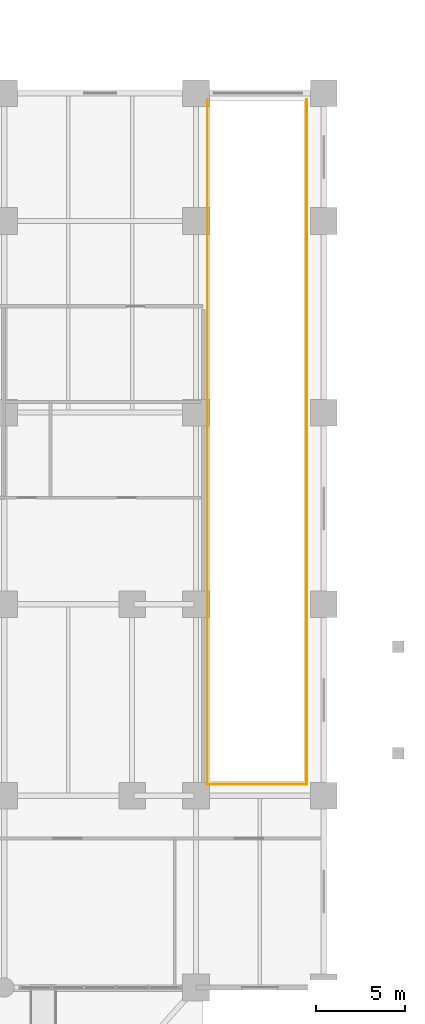
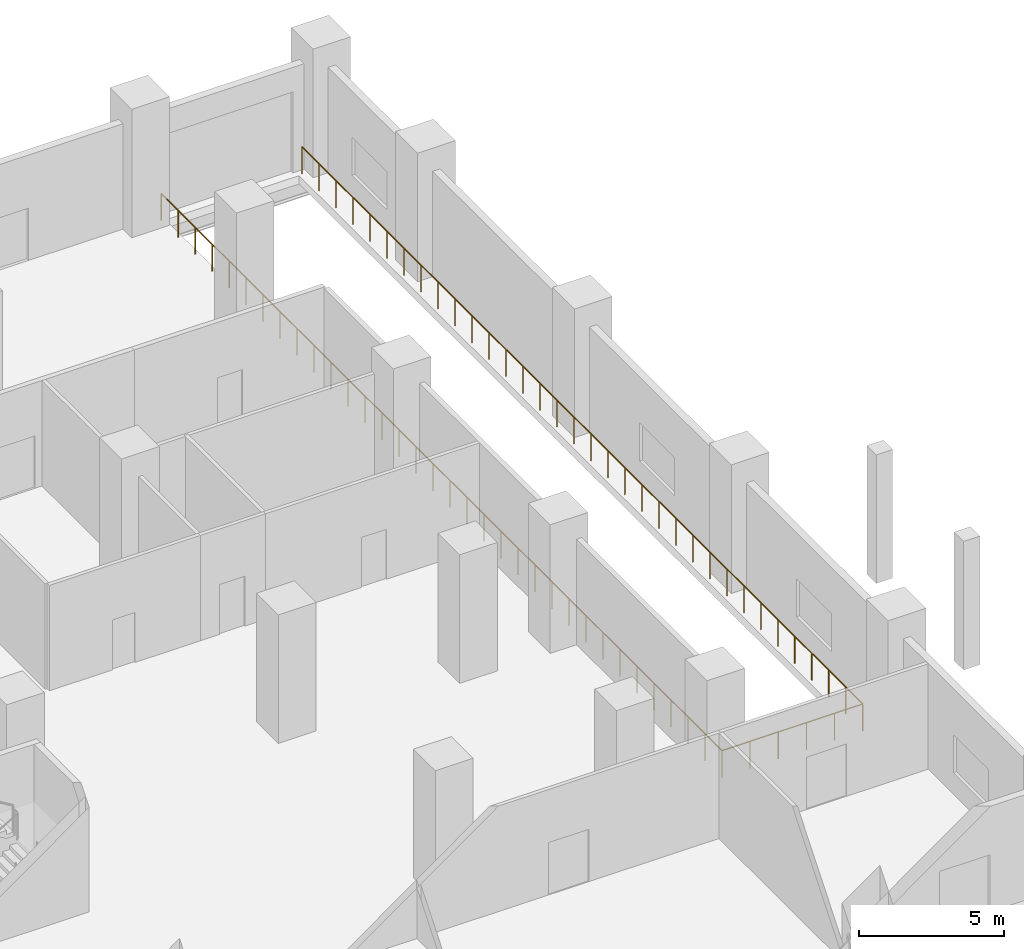
# One storey, part 21 of 22: 3 railings.
"""IFC4 building model written with IfcOpenShell, lengths in metres."""

import ifcopenshell
import ifcopenshell.guid

model = None  # the IFC model being written
_history = None  # IfcOwnerHistory: only IFC2X3 demands one
_inside = {}  # id of a spatial element -> (the spatial element, [elements in it])
_under = {}  # id of a project, library or spatial element -> (it, [spatial elements below it])
_declared = {}  # id of a project -> (the project, [libraries it declares])
_typed = {}  # id of a type object -> (the type object, [elements of that type])
_made_of = {}  # id of a material, layer set ... -> (it, [elements and type objects made of it])


def new_model(schema):
    """Start an empty IFC model of exactly this schema.

    Asked for "IFC4X3", IfcOpenShell would pick the latest addendum, in which some entities
    have other attributes; the version numbers below select the first issue.
    IFC2X3 requires an IfcOwnerHistory on every rooted entity: one is made here for all.
    """
    global model, _history
    if schema == "IFC4X3":
        model = ifcopenshell.file(schema_version=(4, 3, 0, 0))
    else:
        model = ifcopenshell.file(schema=schema)
    _inside.clear()
    _under.clear()
    _declared.clear()
    _typed.clear()
    _made_of.clear()
    _history = None
    if model.schema == "IFC2X3":
        org = make("IfcOrganization", Name="unknown")
        user = make(
            "IfcPersonAndOrganization",
            ThePerson=make("IfcPerson", FamilyName="unknown"),
            TheOrganization=org,
        )
        app = make(
            "IfcApplication",
            ApplicationDeveloper=org,
            Version="unknown",
            ApplicationFullName="unknown",
            ApplicationIdentifier="unknown",
        )
        _history = make(
            "IfcOwnerHistory",
            OwningUser=user,
            OwningApplication=app,
            ChangeAction="ADDED",
            CreationDate=0,
        )
    return model


def make(cls, **values):
    """One entity of the class cls with the attributes given. An attribute that is None is left unset."""
    return model.create_entity(
        cls, **{name: value for name, value in values.items() if value is not None}
    )


def rooted(cls, **values):
    """An entity with a GlobalId (a new one), such as an element, a storey or a relation."""
    return make(cls, GlobalId=ifcopenshell.guid.new(), OwnerHistory=_history, **values)


def si_unit(unit_type, name, prefix=None):
    """IfcSIUnit, for example si_unit("LENGTHUNIT", "METRE", prefix="MILLI")."""
    return make("IfcSIUnit", UnitType=unit_type, Prefix=prefix, Name=name)


def assignment(units):
    """IfcUnitAssignment: the units of a project."""
    return None if units is None else make("IfcUnitAssignment", Units=units)


def point(xyz):
    """IfcCartesianPoint."""
    return None if xyz is None else make("IfcCartesianPoint", Coordinates=xyz)


def direction(xyz):
    """IfcDirection."""
    return None if xyz is None else make("IfcDirection", DirectionRatios=xyz)


def frame(location, z_axis=None, x_axis=None):
    """IfcAxis2Placement3D, a coordinate frame: its origin and axes. An axis left out is left unset."""
    return make(
        "IfcAxis2Placement3D",
        Location=point(location),
        Axis=direction(z_axis),
        RefDirection=direction(x_axis),
    )


def frame_2d(location, x_axis=None):
    """IfcAxis2Placement2D, a coordinate frame in the plane: its origin and x axis."""
    return make(
        "IfcAxis2Placement2D", Location=point(location), RefDirection=direction(x_axis)
    )


def origin():
    """The frame at (0, 0, 0) with its axes left unset."""
    return frame((0.0, 0.0, 0.0))


def origin_2d():
    """The frame at (0, 0) in the plane with its x axis left unset."""
    return frame_2d((0.0, 0.0))


def place(relative_to, where):
    """IfcLocalPlacement: puts the frame where relative to a parent placement (None: the world)."""
    return make(
        "IfcLocalPlacement", PlacementRelTo=relative_to, RelativePlacement=where
    )


def context(
    kind, dimensions, precision=None, world=None, true_north=None, identifier=None
):
    """IfcGeometricRepresentationContext, for example the 3D "Model" context."""
    return make(
        "IfcGeometricRepresentationContext",
        ContextIdentifier=identifier,
        ContextType=kind,
        CoordinateSpaceDimension=dimensions,
        Precision=precision,
        WorldCoordinateSystem=world,
        TrueNorth=true_north,
    )


def subcontext(parent, identifier, kind, view, scale=None):
    """IfcGeometricRepresentationSubContext, for example "Body" below "Model"."""
    return make(
        "IfcGeometricRepresentationSubContext",
        ContextIdentifier=identifier,
        ContextType=kind,
        ParentContext=parent,
        TargetScale=scale,
        TargetView=view,
    )


def project(units=None, contexts=None):
    """IfcProject with its units and contexts."""
    return rooted(
        "IfcProject",
        Name="project",
        RepresentationContexts=contexts,
        UnitsInContext=assignment(units),
    )


def spatial(cls, under=None, at=None, **own):
    """A site, building, storey or space (cls), placed at a placement, below another one or the project."""
    s = rooted(cls, ObjectPlacement=at, **own)
    if under is not None:
        _under.setdefault(under.id(), (under, []))[1].append(s)
    return s


def profile(cls, at=None, kind="AREA", **sizes):
    """A parametric profile (cls). Its sizes go by their IFC names, for example OverallWidth=200.0."""
    return make(cls, ProfileType=kind, Position=at, **sizes)


def circle(**sizes):
    """IfcCircleProfileDef."""
    return profile("IfcCircleProfileDef", **sizes)


def extrude(swept, where, along, depth):
    """IfcExtrudedAreaSolid: the profile swept, set in the frame where, extruded along a direction by depth."""
    return make(
        "IfcExtrudedAreaSolid",
        SweptArea=swept,
        Position=where,
        ExtrudedDirection=direction(along),
        Depth=depth,
    )


def shape(context_of_items, identifier, shape_type, items):
    """IfcShapeRepresentation: the items that make up one representation, for example the "Body"."""
    return make(
        "IfcShapeRepresentation",
        ContextOfItems=context_of_items,
        RepresentationIdentifier=identifier,
        RepresentationType=shape_type,
        Items=items,
    )


def material(Name=None, Category=None):
    """IfcMaterial."""
    return make("IfcMaterial", Name=Name, Category=Category)


def made_of(thing, what):
    """Note that an element or type object is made of a material, layer set ...; save() writes the relation."""
    if what is not None:
        _made_of.setdefault(what.id(), (what, []))[1].append(thing)
    return thing


def type_object(cls, material=None, **own):
    """A type object (cls), such as IfcWallType, which elements share."""
    return made_of(rooted(cls, **own), material)


def element(
    cls,
    number,
    at=None,
    inside=None,
    cuts=None,
    type_object=None,
    material=None,
    context=None,
    identifier="Body",
    shape_type=None,
    held_by="IfcProductDefinitionShape",
    body=None,
    shapes=None,
    **own,
):
    """One element of the class cls, such as IfcWall. Its Tag is "e" and its number.

    at: its placement. inside: the storey or other place that contains it. cuts: it is an
    opening in that element (IfcRelVoidsElement). A single representation is given by context,
    identifier, shape_type and body (its items); several are given by shapes. held_by: the class
    of the entity that holds the representations. save() writes the other relations.
    """
    e = rooted(cls, Tag="e%d" % number, ObjectPlacement=at, **own)
    if body is not None:
        shapes = [shape(context, identifier, shape_type, body)]
    if shapes is not None:
        e.Representation = make(held_by, Representations=shapes)
    if inside is not None:
        _inside.setdefault(inside.id(), (inside, []))[1].append(e)
    if cuts is not None:
        rooted(
            "IfcRelVoidsElement", RelatingBuildingElement=cuts, RelatedOpeningElement=e
        )
    if type_object is not None:
        _typed.setdefault(type_object.id(), (type_object, []))[1].append(e)
    return made_of(e, material)


def aggregate(whole, parts):
    """IfcRelAggregates: a whole, such as a stair, and the parts it consists of."""
    return rooted("IfcRelAggregates", RelatingObject=whole, RelatedObjects=parts)


def save(model, path):
    """Write the relations noted so far, then the file.

    IfcRelAggregates (storeys below a building ...), IfcRelContainedInSpatialStructure (elements
    in a storey), IfcRelDefinesByType, IfcRelAssociatesMaterial and IfcRelDeclares: one each for
    every whole, place, type object, material and project.
    """
    for whole, parts in _under.values():
        aggregate(whole, parts)
    for where, things in _inside.values():
        rooted(
            "IfcRelContainedInSpatialStructure",
            RelatedElements=things,
            RelatingStructure=where,
        )
    for kind, things in _typed.values():
        rooted("IfcRelDefinesByType", RelatedObjects=things, RelatingType=kind)
    for what, things in _made_of.values():
        rooted("IfcRelAssociatesMaterial", RelatedObjects=things, RelatingMaterial=what)
    for by, libraries in _declared.values():
        rooted("IfcRelDeclares", RelatingContext=by, RelatedDefinitions=libraries)
    model.write(path)


model = new_model("IFC4")

# Units and contexts
model_context = context("Model", 3, precision=1e-05, world=origin(), true_north=direction((0.0, 1.0)))
body_context = subcontext(model_context, "Body", "Model", "MODEL_VIEW")
ifc_project = project(units=[si_unit("LENGTHUNIT", "METRE"), si_unit("AREAUNIT", "SQUARE_METRE"), si_unit("VOLUMEUNIT", "CUBIC_METRE"), si_unit("PLANEANGLEUNIT", "RADIAN"), si_unit("MASSUNIT", "GRAM", prefix="KILO")], contexts=[model_context])

# Site, building, storey
site_placement = place(None, origin())
site = spatial("IfcSite", under=ifc_project, at=site_placement, CompositionType="ELEMENT")
building_placement = place(site_placement, origin())
building = spatial("IfcBuilding", under=site, at=building_placement, Name="Solnavia Interchange Tower", CompositionType="ELEMENT")
storey_placement = place(building_placement, origin())
storey = spatial("IfcBuildingStorey", under=building, at=storey_placement, Name="L00", CompositionType="ELEMENT", Elevation=0.0)

# Railings
ifc_material = material(Name="Laminated Safety Glass & Stainless Steel", Category="steel")
railing_type = type_object("IfcRailingType", Name="Railing-TerraceGuard-1150", PredefinedType="GUARDRAIL", material=ifc_material)
railing_1_placement = place(storey_placement, frame((65.449951171875, 50.050048828125, 0.0)))
element("IfcRailing", 1, at=railing_1_placement, inside=storey, type_object=railing_type, Name="GRD-L00-RMP1-01 Perimeter terrace guardrail", PredefinedType="GUARDRAIL", context=body_context, shape_type="SweptSolid", body=[
    extrude(circle(Radius=0.02392578125, at=origin_2d()), frame((0.0, 0.0, 1.1259765625), z_axis=(0.0, -1.0, 0.0), x_axis=(1.0, 0.0, 0.0)), (0.0, 0.0, 1.0), 38.60009765625),
    extrude(circle(Radius=0.02099609375, at=origin_2d()), origin(), (0.0, 0.0, 1.0), 1.101806640625),
    extrude(circle(Radius=0.02099609375, at=origin_2d()), frame((0.0, -1.169677734375, 0.0)), (0.0, 0.0, 1.0), 1.101806640625),
    extrude(circle(Radius=0.02099609375, at=origin_2d()), frame((0.0, -2.33935546875, 0.0)), (0.0, 0.0, 1.0), 1.101806640625),
    extrude(circle(Radius=0.02099609375, at=origin_2d()), frame((0.0, -3.509033203125, 0.0)), (0.0, 0.0, 1.0), 1.101806640625),
    extrude(circle(Radius=0.02099609375, at=origin_2d()), frame((0.0, -4.6787109375, 0.0)), (0.0, 0.0, 1.0), 1.101806640625),
    extrude(circle(Radius=0.02099609375, at=origin_2d()), frame((0.0, -5.848388671875, 0.0)), (0.0, 0.0, 1.0), 1.101806640625),
    extrude(circle(Radius=0.02099609375, at=origin_2d()), frame((0.0, -7.018310546875, 0.0)), (0.0, 0.0, 1.0), 1.101806640625),
    extrude(circle(Radius=0.02099609375, at=origin_2d()), frame((0.0, -8.18798828125, 0.0)), (0.0, 0.0, 1.0), 1.101806640625),
    extrude(circle(Radius=0.02099609375, at=origin_2d()), frame((0.0, -9.357666015625, 0.0)), (0.0, 0.0, 1.0), 1.101806640625),
    extrude(circle(Radius=0.02099609375, at=origin_2d()), frame((0.0, -10.52734375, 0.0)), (0.0, 0.0, 1.0), 1.101806640625),
    extrude(circle(Radius=0.02099609375, at=origin_2d()), frame((0.0, -11.697021484375, 0.0)), (0.0, 0.0, 1.0), 1.101806640625),
    extrude(circle(Radius=0.02099609375, at=origin_2d()), frame((0.0, -12.86669921875, 0.0)), (0.0, 0.0, 1.0), 1.101806640625),
    extrude(circle(Radius=0.02099609375, at=origin_2d()), frame((0.0, -14.036376953125, 0.0)), (0.0, 0.0, 1.0), 1.101806640625),
    extrude(circle(Radius=0.02099609375, at=origin_2d()), frame((0.0, -15.2060546875, 0.0)), (0.0, 0.0, 1.0), 1.101806640625),
    extrude(circle(Radius=0.02099609375, at=origin_2d()), frame((0.0, -16.375732421875, 0.0)), (0.0, 0.0, 1.0), 1.101806640625),
    extrude(circle(Radius=0.02099609375, at=origin_2d()), frame((0.0, -17.54541015625, 0.0)), (0.0, 0.0, 1.0), 1.101806640625),
    extrude(circle(Radius=0.02099609375, at=origin_2d()), frame((0.0, -18.715087890625, 0.0)), (0.0, 0.0, 1.0), 1.101806640625),
    extrude(circle(Radius=0.02099609375, at=origin_2d()), frame((0.0, -19.885009765625, 0.0)), (0.0, 0.0, 1.0), 1.101806640625),
    extrude(circle(Radius=0.02099609375, at=origin_2d()), frame((0.0, -21.0546875, 0.0)), (0.0, 0.0, 1.0), 1.101806640625),
    extrude(circle(Radius=0.02099609375, at=origin_2d()), frame((0.0, -22.224365234375, 0.0)), (0.0, 0.0, 1.0), 1.101806640625),
    extrude(circle(Radius=0.02099609375, at=origin_2d()), frame((0.0, -23.39404296875, 0.0)), (0.0, 0.0, 1.0), 1.101806640625),
    extrude(circle(Radius=0.02099609375, at=origin_2d()), frame((0.0, -24.563720703125, 0.0)), (0.0, 0.0, 1.0), 1.101806640625),
    extrude(circle(Radius=0.02099609375, at=origin_2d()), frame((0.0, -25.7333984375, 0.0)), (0.0, 0.0, 1.0), 1.101806640625),
    extrude(circle(Radius=0.02099609375, at=origin_2d()), frame((0.0, -26.903076171875, 0.0)), (0.0, 0.0, 1.0), 1.101806640625),
    extrude(circle(Radius=0.02099609375, at=origin_2d()), frame((0.0, -28.07275390625, 0.0)), (0.0, 0.0, 1.0), 1.101806640625),
    extrude(circle(Radius=0.02099609375, at=origin_2d()), frame((0.0, -29.242431640625, 0.0)), (0.0, 0.0, 1.0), 1.101806640625),
    extrude(circle(Radius=0.02099609375, at=origin_2d()), frame((0.0, -30.412109375, 0.0)), (0.0, 0.0, 1.0), 1.101806640625),
    extrude(circle(Radius=0.02099609375, at=origin_2d()), frame((0.0, -31.581787109375, 0.0)), (0.0, 0.0, 1.0), 1.101806640625),
    extrude(circle(Radius=0.02099609375, at=origin_2d()), frame((0.0, -32.751708984375, 0.0)), (0.0, 0.0, 1.0), 1.101806640625),
    extrude(circle(Radius=0.02099609375, at=origin_2d()), frame((0.0, -33.92138671875, 0.0)), (0.0, 0.0, 1.0), 1.101806640625),
    extrude(circle(Radius=0.02099609375, at=origin_2d()), frame((0.0, -35.091064453125, 0.0)), (0.0, 0.0, 1.0), 1.101806640625),
    extrude(circle(Radius=0.02099609375, at=origin_2d()), frame((0.0, -36.2607421875, 0.0)), (0.0, 0.0, 1.0), 1.101806640625),
    extrude(circle(Radius=0.02099609375, at=origin_2d()), frame((0.0, -37.430419921875, 0.0)), (0.0, 0.0, 1.0), 1.101806640625),
    extrude(circle(Radius=0.02099609375, at=origin_2d()), frame((0.0, -38.60009765625, 0.0)), (0.0, 0.0, 1.0), 1.101806640625),
])
railing_2_placement = place(storey_placement, frame((65.449951171875, 11.449951171875, 0.0)))
element("IfcRailing", 2, at=railing_2_placement, inside=storey, type_object=railing_type, Name="GRD-L00-RMP1-02 Perimeter terrace guardrail", PredefinedType="GUARDRAIL", context=body_context, shape_type="SweptSolid", body=[
    extrude(circle(Radius=0.02392578125, at=origin_2d()), frame((0.0, 0.0, 1.1259765625), z_axis=(1.0, 0.0, 0.0), x_axis=(0.0, 1.0, 0.0)), (0.0, 0.0, 1.0), 5.60009765625),
    extrude(circle(Radius=0.02099609375, at=origin_2d()), origin(), (0.0, 0.0, 1.0), 1.101806640625),
    extrude(circle(Radius=0.02099609375, at=origin_2d()), frame((1.1201171875, 0.0, 0.0)), (0.0, 0.0, 1.0), 1.101806640625),
    extrude(circle(Radius=0.02099609375, at=origin_2d()), frame((2.239990234375, 0.0, 0.0)), (0.0, 0.0, 1.0), 1.101806640625),
    extrude(circle(Radius=0.02099609375, at=origin_2d()), frame((3.360107421875, 0.0, 0.0)), (0.0, 0.0, 1.0), 1.101806640625),
    extrude(circle(Radius=0.02099609375, at=origin_2d()), frame((4.47998046875, 0.0, 0.0)), (0.0, 0.0, 1.0), 1.101806640625),
    extrude(circle(Radius=0.02099609375, at=origin_2d()), frame((5.60009765625, 0.0, 0.0)), (0.0, 0.0, 1.0), 1.101806640625),
])
railing_3_placement = place(storey_placement, frame((71.050048828125, 11.449951171875, 0.0)))
element("IfcRailing", 3, at=railing_3_placement, inside=storey, type_object=railing_type, Name="GRD-L00-RMP1-03 Perimeter terrace guardrail", PredefinedType="GUARDRAIL", context=body_context, shape_type="SweptSolid", body=[
    extrude(circle(Radius=0.02392578125, at=origin_2d()), frame((0.0, 0.0, 1.1259765625), z_axis=(0.0, 1.0, 0.0), x_axis=(-1.0, 0.0, 0.0)), (0.0, 0.0, 1.0), 38.60009765625),
    extrude(circle(Radius=0.02099609375, at=origin_2d()), origin(), (0.0, 0.0, 1.0), 1.101806640625),
    extrude(circle(Radius=0.02099609375, at=origin_2d()), frame((0.0, 1.169677734375, 0.0)), (0.0, 0.0, 1.0), 1.101806640625),
    extrude(circle(Radius=0.02099609375, at=origin_2d()), frame((0.0, 2.33935546875, 0.0)), (0.0, 0.0, 1.0), 1.101806640625),
    extrude(circle(Radius=0.02099609375, at=origin_2d()), frame((0.0, 3.509033203125, 0.0)), (0.0, 0.0, 1.0), 1.101806640625),
    extrude(circle(Radius=0.02099609375, at=origin_2d()), frame((0.0, 4.6787109375, 0.0)), (0.0, 0.0, 1.0), 1.101806640625),
    extrude(circle(Radius=0.02099609375, at=origin_2d()), frame((0.0, 5.848388671875, 0.0)), (0.0, 0.0, 1.0), 1.101806640625),
    extrude(circle(Radius=0.02099609375, at=origin_2d()), frame((0.0, 7.018310546875, 0.0)), (0.0, 0.0, 1.0), 1.101806640625),
    extrude(circle(Radius=0.02099609375, at=origin_2d()), frame((0.0, 8.18798828125, 0.0)), (0.0, 0.0, 1.0), 1.101806640625),
    extrude(circle(Radius=0.02099609375, at=origin_2d()), frame((0.0, 9.357666015625, 0.0)), (0.0, 0.0, 1.0), 1.101806640625),
    extrude(circle(Radius=0.02099609375, at=origin_2d()), frame((0.0, 10.52734375, 0.0)), (0.0, 0.0, 1.0), 1.101806640625),
    extrude(circle(Radius=0.02099609375, at=origin_2d()), frame((0.0, 11.697021484375, 0.0)), (0.0, 0.0, 1.0), 1.101806640625),
    extrude(circle(Radius=0.02099609375, at=origin_2d()), frame((0.0, 12.86669921875, 0.0)), (0.0, 0.0, 1.0), 1.101806640625),
    extrude(circle(Radius=0.02099609375, at=origin_2d()), frame((0.0, 14.036376953125, 0.0)), (0.0, 0.0, 1.0), 1.101806640625),
    extrude(circle(Radius=0.02099609375, at=origin_2d()), frame((0.0, 15.2060546875, 0.0)), (0.0, 0.0, 1.0), 1.101806640625),
    extrude(circle(Radius=0.02099609375, at=origin_2d()), frame((0.0, 16.375732421875, 0.0)), (0.0, 0.0, 1.0), 1.101806640625),
    extrude(circle(Radius=0.02099609375, at=origin_2d()), frame((0.0, 17.54541015625, 0.0)), (0.0, 0.0, 1.0), 1.101806640625),
    extrude(circle(Radius=0.02099609375, at=origin_2d()), frame((0.0, 18.715087890625, 0.0)), (0.0, 0.0, 1.0), 1.101806640625),
    extrude(circle(Radius=0.02099609375, at=origin_2d()), frame((0.0, 19.885009765625, 0.0)), (0.0, 0.0, 1.0), 1.101806640625),
    extrude(circle(Radius=0.02099609375, at=origin_2d()), frame((0.0, 21.0546875, 0.0)), (0.0, 0.0, 1.0), 1.101806640625),
    extrude(circle(Radius=0.02099609375, at=origin_2d()), frame((0.0, 22.224365234375, 0.0)), (0.0, 0.0, 1.0), 1.101806640625),
    extrude(circle(Radius=0.02099609375, at=origin_2d()), frame((0.0, 23.39404296875, 0.0)), (0.0, 0.0, 1.0), 1.101806640625),
    extrude(circle(Radius=0.02099609375, at=origin_2d()), frame((0.0, 24.563720703125, 0.0)), (0.0, 0.0, 1.0), 1.101806640625),
    extrude(circle(Radius=0.02099609375, at=origin_2d()), frame((0.0, 25.7333984375, 0.0)), (0.0, 0.0, 1.0), 1.101806640625),
    extrude(circle(Radius=0.02099609375, at=origin_2d()), frame((0.0, 26.903076171875, 0.0)), (0.0, 0.0, 1.0), 1.101806640625),
    extrude(circle(Radius=0.02099609375, at=origin_2d()), frame((0.0, 28.07275390625, 0.0)), (0.0, 0.0, 1.0), 1.101806640625),
    extrude(circle(Radius=0.02099609375, at=origin_2d()), frame((0.0, 29.242431640625, 0.0)), (0.0, 0.0, 1.0), 1.101806640625),
    extrude(circle(Radius=0.02099609375, at=origin_2d()), frame((0.0, 30.412109375, 0.0)), (0.0, 0.0, 1.0), 1.101806640625),
    extrude(circle(Radius=0.02099609375, at=origin_2d()), frame((0.0, 31.581787109375, 0.0)), (0.0, 0.0, 1.0), 1.101806640625),
    extrude(circle(Radius=0.02099609375, at=origin_2d()), frame((0.0, 32.751708984375, 0.0)), (0.0, 0.0, 1.0), 1.101806640625),
    extrude(circle(Radius=0.02099609375, at=origin_2d()), frame((0.0, 33.92138671875, 0.0)), (0.0, 0.0, 1.0), 1.101806640625),
    extrude(circle(Radius=0.02099609375, at=origin_2d()), frame((0.0, 35.091064453125, 0.0)), (0.0, 0.0, 1.0), 1.101806640625),
    extrude(circle(Radius=0.02099609375, at=origin_2d()), frame((0.0, 36.2607421875, 0.0)), (0.0, 0.0, 1.0), 1.101806640625),
    extrude(circle(Radius=0.02099609375, at=origin_2d()), frame((0.0, 37.430419921875, 0.0)), (0.0, 0.0, 1.0), 1.101806640625),
    extrude(circle(Radius=0.02099609375, at=origin_2d()), frame((0.0, 38.60009765625, 0.0)), (0.0, 0.0, 1.0), 1.101806640625),
])

save(model, "model.ifc")
